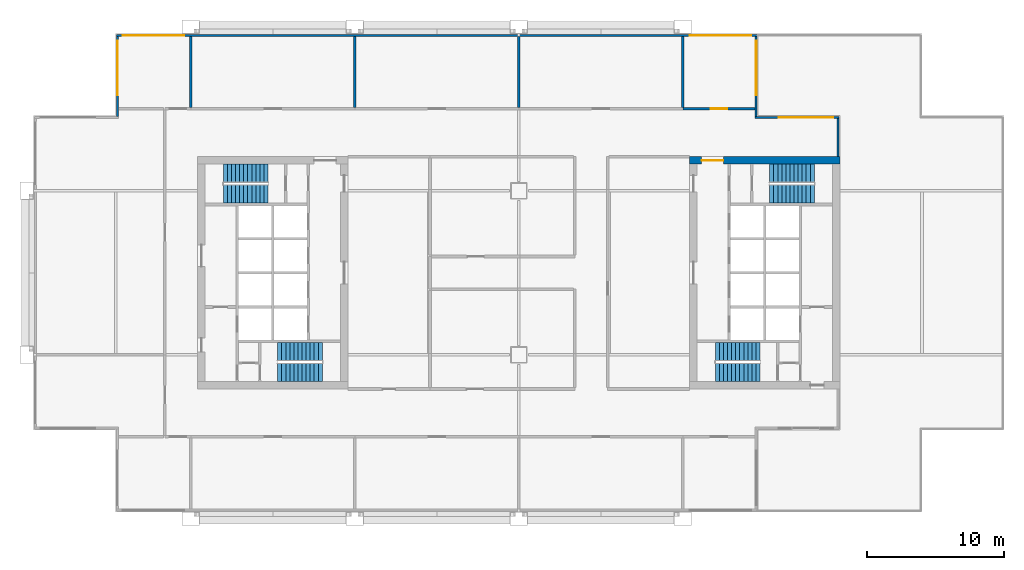
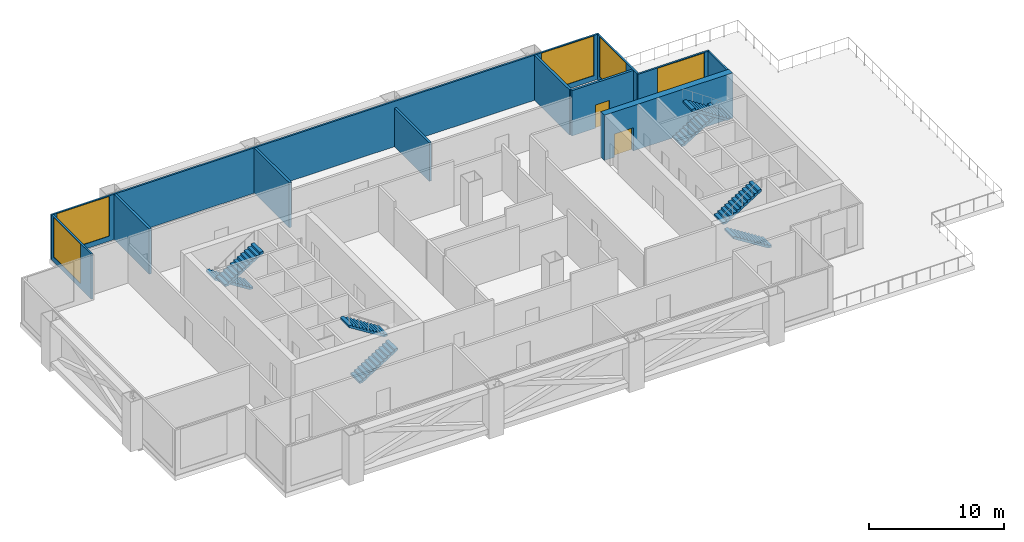
# One storey, part 5 of 6: 11 walls, 8 stair flights, 5 windows, 2 doors, 7 openings, 4 elements without a shape of their own.
"""IFC4 building model written with IfcOpenShell, lengths in metres."""

from ifc_helpers import new_model, si_unit, direction, frame, frame_2d, origin, place, context, subcontext, project, spatial, polyline, rectangle, outline, extrude, material, layer, layer_set, type_object, element, fill, aggregate, save


model = new_model("IFC4")

# Units and contexts
model_context = context("Model", 3, precision=1e-05, world=origin(), true_north=direction((0.0, 1.0)))
body_context = subcontext(model_context, "Body", "Model", "MODEL_VIEW")
ifc_project = project(units=[si_unit("LENGTHUNIT", "METRE"), si_unit("AREAUNIT", "SQUARE_METRE"), si_unit("VOLUMEUNIT", "CUBIC_METRE"), si_unit("PLANEANGLEUNIT", "RADIAN"), si_unit("MASSUNIT", "GRAM", prefix="KILO")], contexts=[model_context])

# Site, building, storey
site_placement = place(None, origin())
site = spatial("IfcSite", under=ifc_project, at=site_placement, CompositionType="ELEMENT")
building_placement = place(site_placement, origin())
building = spatial("IfcBuilding", under=site, at=building_placement, Name="Kitamizu Gate Tower and Museum", CompositionType="ELEMENT")
storey_placement = place(building_placement, frame((0.0, 0.0, 153.75)))
storey = spatial("IfcBuildingStorey", under=building, at=storey_placement, Name="L40", CompositionType="ELEMENT", Elevation=153.75)

# Wall, opening, door
ifc_material_1 = material(Name="Concrete Fc42", Category="concrete")
ifc_layer_1 = layer(ifc_material_1, 0.550048828125)
ifc_layer_set_1 = layer_set([ifc_layer_1], Name="Concrete Fc42")
wall_type_1 = type_object("IfcWallType", Name="Core wall 550", PredefinedType="SHEAR", material=ifc_layer_set_1)
wall_1_placement = place(storey_placement, frame((59.5, 38.22509765625, 0.0), z_axis=(0.0, 0.0, 1.0), x_axis=(-1.0, 0.0, 0.0)))
wall_1 = element("IfcWall", 1, at=wall_1_placement, inside=storey, type_object=wall_type_1, Name="Core wall EN", PredefinedType="SHEAR", context=body_context, shape_type="SweptSolid", body=[
    extrude(rectangle(XDim=11.0, YDim=0.550048828125, at=frame_2d((5.5, 0.0))), origin(), (0.0, 0.0, 1.0), 4.10009765625),
])
opening_1_placement = place(wall_1_placement, frame((8.52490234375, 0.0, 0.0)))
opening_1 = element("IfcOpeningElement", 2, at=opening_1_placement, cuts=wall_1, Name="Opening L40-035", PredefinedType="OPENING", context=body_context, shape_type="SweptSolid", body=[
    extrude(rectangle(XDim=1.60009765625, YDim=2.10009765625, at=frame_2d((0.800048828125, 1.050048828125))), frame((0.0, 0.28515625, 0.0), z_axis=(0.0, -1.0, 0.0), x_axis=(1.0, 0.0, 0.0)), (0.0, 0.0, 1.0), 0.570068359375),
])
ifc_material_2 = material(Name="Timber door set", Category="wood")
door_type_1 = type_object("IfcDoorType", Name="Entrance door 1600", OperationType="DOUBLE_DOOR_SINGLE_SWING", PredefinedType="DOOR", material=ifc_material_2)
door_1_placement = place(opening_1_placement, origin())
door_1 = element("IfcDoor", 3, at=door_1_placement, inside=storey, type_object=door_type_1, Name="Lobby door L40-035", OperationType="DOUBLE_DOOR_SINGLE_SWING", OverallHeight=2.10009765625, OverallWidth=1.60009765625, PredefinedType="DOOR", context=body_context, shape_type="SweptSolid", body=[
    extrude(rectangle(XDim=1.60009765625, YDim=2.10009765625, at=frame_2d((0.800048828125, 1.050048828125))), frame((0.0, 0.02490234375, 0.0), z_axis=(0.0, -1.0, 0.0), x_axis=(1.0, 0.0, 0.0)), (0.0, 0.0, 1.0), 0.050048828125),
])
fill(opening_1, door_1)

ifc_material_3 = material(Name="Gypsum board on galvanised stud")
ifc_layer_2 = layer(ifc_material_3, 0.199951171875)
ifc_layer_set_2 = layer_set([ifc_layer_2], Name="Gypsum board on galvanised stud")
wall_type_2 = type_object("IfcWallType", Name="Partition 200", PredefinedType="PARTITIONING", material=ifc_layer_set_2)
wall_2_placement = place(storey_placement, frame((53.280029296875, 42.0, 0.0), z_axis=(0.0, 0.0, 1.0), x_axis=(-1.0, 0.0, 0.0)))
wall_2 = element("IfcWall", 4, at=wall_2_placement, inside=storey, type_object=wall_type_2, Name="Partition L40-017", PredefinedType="PARTITIONING", context=body_context, shape_type="SweptSolid", body=[
    extrude(rectangle(XDim=5.280029296875, YDim=0.199951171875, at=frame_2d((2.64013671875, 0.0))), origin(), (0.0, 0.0, 1.0), 4.10009765625),
])
opening_2_placement = place(wall_2_placement, frame((2.0400390625, 0.0, 0.0)))
opening_2 = element("IfcOpeningElement", 5, at=opening_2_placement, cuts=wall_2, Name="Opening L40-012", PredefinedType="OPENING", context=body_context, shape_type="SweptSolid", body=[
    extrude(rectangle(XDim=1.199951171875, YDim=2.10009765625, at=frame_2d((0.60009765625, 1.050048828125))), frame((0.0, 0.10986328125, 0.0), z_axis=(0.0, -1.0, 0.0), x_axis=(1.0, 0.0, 0.0)), (0.0, 0.0, 1.0), 0.219970703125),
])
ifc_material_4 = material(Name="Timber door set", Category="wood")
door_type_2 = type_object("IfcDoorType", Name="Plant room door 1200", OperationType="DOUBLE_DOOR_SINGLE_SWING", PredefinedType="DOOR", material=ifc_material_4)
door_2_placement = place(opening_2_placement, origin())
door_2 = element("IfcDoor", 6, at=door_2_placement, inside=storey, type_object=door_type_2, Name="Plant room door L40-012", OperationType="DOUBLE_DOOR_SINGLE_SWING", OverallHeight=2.10009765625, OverallWidth=1.199951171875, PredefinedType="DOOR", context=body_context, shape_type="SweptSolid", body=[
    extrude(rectangle(XDim=1.199951171875, YDim=2.10009765625, at=frame_2d((0.60009765625, 1.050048828125))), frame((0.0, 0.02490234375, 0.0), z_axis=(0.0, -1.0, 0.0), x_axis=(1.0, 0.0, 0.0)), (0.0, 0.0, 1.0), 0.050048828125),
])
fill(opening_2, door_2)

# Walls
for number, where, z_axis, x_axis, name in (
    (7, (12.0, 42.10009765625, 0.0), (0.0, 0.0, 1.0), (0.0, 1.0, 0.0), "Partition L40-041"),
    (8, (24.0, 42.10009765625, 0.0), (0.0, 0.0, 1.0), (0.0, 1.0, 0.0), "Partition L40-043"),
):
    element("IfcWall", number, at=place(storey_placement, frame(where, z_axis=z_axis, x_axis=x_axis)), inside=storey, type_object=wall_type_2, Name=name, PredefinedType="PARTITIONING", context=body_context, shape_type="SweptSolid", body=[
        extrude(rectangle(XDim=5.179931640625, YDim=0.199951171875, at=frame_2d((2.58984375, 0.0))), origin(), (0.0, 0.0, 1.0), 4.10009765625),
    ])
wall_3_placement = place(storey_placement, frame((36.0, 42.10009765625, 0.0), z_axis=(0.0, 0.0, 1.0), x_axis=(0.0, 1.0, 0.0)))
element("IfcWall", 9, at=wall_3_placement, inside=storey, type_object=wall_type_2, Name="Partition L40-044", PredefinedType="PARTITIONING", context=body_context, shape_type="SweptSolid", body=[
    extrude(rectangle(XDim=5.179931640625, YDim=0.199951171875, at=frame_2d((2.58984375, 0.0))), origin(), (0.0, 0.0, 1.0), 3.5),
])
wall_4_placement = place(storey_placement, frame((48.0, 42.10009765625, 0.0), z_axis=(0.0, 0.0, 1.0), x_axis=(0.0, 1.0, 0.0)))
element("IfcWall", 10, at=wall_4_placement, inside=storey, type_object=wall_type_2, Name="Partition L40-045", PredefinedType="PARTITIONING", context=body_context, shape_type="SweptSolid", body=[
    extrude(rectangle(XDim=5.179931640625, YDim=0.199951171875, at=frame_2d((2.58984375, 0.0))), origin(), (0.0, 0.0, 1.0), 4.10009765625),
])
ifc_material_5 = material(Name="Bronze anodised aluminium frame with insulated spandrel and tinted glass", Category="aluminium")
ifc_layer_3 = layer(ifc_material_5, 0.14990234375)
ifc_layer_set_3 = layer_set([ifc_layer_3], Name="Bronze anodised aluminium frame with insulated spandrel and tinted glass")
wall_type_3 = type_object("IfcWallType", Name="WINDOW WALL 150 BRONZE FRAME EI 60", PredefinedType="ELEMENTEDWALL", material=ifc_layer_set_3)
wall_5_placement = place(storey_placement, frame((59.364990234375, 38.5, 0.0), z_axis=(0.0, 0.0, 1.0), x_axis=(0.0, 1.0, 0.0)))
element("IfcWall", 11, at=wall_5_placement, inside=storey, type_object=wall_type_3, Name="Window wall east L40", PredefinedType="ELEMENTEDWALL", context=body_context, shape_type="SweptSolid", body=[
    extrude(rectangle(XDim=2.7900390625, YDim=0.14990234375, at=frame_2d((1.39501953125, 0.0))), origin(), (0.0, 0.0, 1.0), 4.10009765625),
])

# Wall, opening, window
wall_6_placement = place(storey_placement, frame((53.2900390625, 41.364990234375, 0.0), z_axis=(0.0, 0.0, 1.0), x_axis=(1.0, 0.0, 0.0)))
wall_6 = element("IfcWall", 12, at=wall_6_placement, inside=storey, type_object=wall_type_3, Name="Window wall north L40", PredefinedType="ELEMENTEDWALL", context=body_context, shape_type="SweptSolid", body=[
    extrude(rectangle(XDim=6.14990234375, YDim=0.14990234375, at=frame_2d((3.074951171875, 0.0))), origin(), (0.0, 0.0, 1.0), 4.10009765625),
])
opening_3_placement = place(wall_6_placement, frame((1.7099609375, 0.0, 0.449951171875)))
opening_3 = element("IfcOpeningElement", 13, at=opening_3_placement, cuts=wall_6, Name="Opening W18", PredefinedType="OPENING", context=body_context, shape_type="SweptSolid", body=[
    extrude(rectangle(XDim=4.0, YDim=3.60009765625, at=frame_2d((2.0, 1.800048828125))), frame((0.0, 0.0849609375, 0.0), z_axis=(0.0, -1.0, 0.0), x_axis=(1.0, 0.0, 0.0)), (0.0, 0.0, 1.0), 0.169921875),
])
ifc_material_6 = material(Name="Bronze anodised aluminium frame, tinted triple glazing", Category="aluminium")
window_type_1 = type_object("IfcWindowType", Name="WINDOW 4000 x 3600 SILL 450", PartitioningType="SINGLE_PANEL", PredefinedType="WINDOW", material=ifc_material_6)
window_1_placement = place(opening_3_placement, origin())
window_1 = element("IfcWindow", 14, at=window_1_placement, inside=storey, type_object=window_type_1, Name="Window W18 L40", OverallHeight=3.60009765625, OverallWidth=4.0, PartitioningType="SINGLE_PANEL", PredefinedType="WINDOW", context=body_context, shape_type="SweptSolid", body=[
    extrude(rectangle(XDim=4.0, YDim=3.60009765625, at=frame_2d((2.0, 1.800048828125))), frame((0.0, 0.030029296875, 0.0), z_axis=(0.0, -1.0, 0.0), x_axis=(1.0, 0.0, 0.0)), (0.0, 0.0, 1.0), 0.06005859375),
])
fill(opening_3, window_1)

wall_7_placement = place(storey_placement, frame((53.364990234375, 41.43994140625, 0.0), z_axis=(0.0, 0.0, 1.0), x_axis=(0.0, 1.0, 0.0)))
wall_7 = element("IfcWall", 15, at=wall_7_placement, inside=storey, type_object=wall_type_3, Name="Window wall east L40", PredefinedType="ELEMENTEDWALL", context=body_context, shape_type="SweptSolid", body=[
    extrude(rectangle(XDim=5.85009765625, YDim=0.14990234375, at=frame_2d((2.925048828125, 0.0))), origin(), (0.0, 0.0, 1.0), 4.10009765625),
])
opening_4_placement = place(wall_7_placement, frame((1.56005859375, 0.0, 0.449951171875)))
opening_4 = element("IfcOpeningElement", 16, at=opening_4_placement, cuts=wall_7, Name="Opening W18", PredefinedType="OPENING", context=body_context, shape_type="SweptSolid", body=[
    extrude(rectangle(XDim=4.0, YDim=3.60009765625, at=frame_2d((2.0, 1.800048828125))), frame((0.0, 0.0849609375, 0.0), z_axis=(0.0, -1.0, 0.0), x_axis=(1.0, 0.0, 0.0)), (0.0, 0.0, 1.0), 0.169921875),
])
window_2_placement = place(opening_4_placement, origin())
window_2 = element("IfcWindow", 17, at=window_2_placement, inside=storey, type_object=window_type_1, Name="Window W18 L40", OverallHeight=3.60009765625, OverallWidth=4.0, PartitioningType="SINGLE_PANEL", PredefinedType="WINDOW", context=body_context, shape_type="SweptSolid", body=[
    extrude(rectangle(XDim=4.0, YDim=3.60009765625, at=frame_2d((2.0, 1.800048828125))), frame((0.0, 0.030029296875, 0.0), z_axis=(0.0, -1.0, 0.0), x_axis=(1.0, 0.0, 0.0)), (0.0, 0.0, 1.0), 0.06005859375),
])
fill(opening_4, window_2)

# Wall, openings, windows
wall_8_placement = place(storey_placement, frame((6.56005859375, 47.364990234375, 0.0), z_axis=(0.0, 0.0, 1.0), x_axis=(1.0, 0.0, 0.0)))
wall_8 = element("IfcWall", 18, at=wall_8_placement, inside=storey, type_object=wall_type_3, Name="Window wall north L40", PredefinedType="ELEMENTEDWALL", context=body_context, shape_type="SweptSolid", body=[
    extrude(rectangle(XDim=46.8798828125, YDim=0.14990234375, at=frame_2d((23.43994140625, 0.0))), origin(), (0.0, 0.0, 1.0), 4.10009765625),
])
opening_5_placement = place(wall_8_placement, frame((0.43994140625, 0.0, 0.449951171875)))
opening_5 = element("IfcOpeningElement", 19, at=opening_5_placement, cuts=wall_8, Name="Opening W17", PredefinedType="OPENING", context=body_context, shape_type="SweptSolid", body=[
    extrude(rectangle(XDim=4.5, YDim=3.60009765625, at=frame_2d((2.25, 1.800048828125))), frame((0.0, 0.0849609375, 0.0), z_axis=(0.0, -1.0, 0.0), x_axis=(1.0, 0.0, 0.0)), (0.0, 0.0, 1.0), 0.169921875),
])
opening_6_placement = place(wall_8_placement, frame((41.93994140625, 0.0, 0.449951171875)))
opening_6 = element("IfcOpeningElement", 20, at=opening_6_placement, cuts=wall_8, Name="Opening W17", PredefinedType="OPENING", context=body_context, shape_type="SweptSolid", body=[
    extrude(rectangle(XDim=4.5, YDim=3.60009765625, at=frame_2d((2.25, 1.800048828125))), frame((0.0, 0.0849609375, 0.0), z_axis=(0.0, -1.0, 0.0), x_axis=(1.0, 0.0, 0.0)), (0.0, 0.0, 1.0), 0.169921875),
])
ifc_material_7 = material(Name="Bronze anodised aluminium frame, tinted triple glazing", Category="aluminium")
window_type_2 = type_object("IfcWindowType", Name="WINDOW 4500 x 3600 SILL 450", PartitioningType="SINGLE_PANEL", PredefinedType="WINDOW", material=ifc_material_7)
window_3_placement = place(opening_5_placement, origin())
window_3 = element("IfcWindow", 21, at=window_3_placement, inside=storey, type_object=window_type_2, Name="Window W17 L40", OverallHeight=3.60009765625, OverallWidth=4.5, PartitioningType="SINGLE_PANEL", PredefinedType="WINDOW", context=body_context, shape_type="SweptSolid", body=[
    extrude(rectangle(XDim=4.5, YDim=3.60009765625, at=frame_2d((2.25, 1.800048828125))), frame((0.0, 0.030029296875, 0.0), z_axis=(0.0, -1.0, 0.0), x_axis=(1.0, 0.0, 0.0)), (0.0, 0.0, 1.0), 0.06005859375),
])
fill(opening_5, window_3)
window_4_placement = place(opening_6_placement, origin())
window_4 = element("IfcWindow", 22, at=window_4_placement, inside=storey, type_object=window_type_2, Name="Window W17 L40", OverallHeight=3.60009765625, OverallWidth=4.5, PartitioningType="SINGLE_PANEL", PredefinedType="WINDOW", context=body_context, shape_type="SweptSolid", body=[
    extrude(rectangle(XDim=4.5, YDim=3.60009765625, at=frame_2d((2.25, 1.800048828125))), frame((0.0, 0.030029296875, 0.0), z_axis=(0.0, -1.0, 0.0), x_axis=(1.0, 0.0, 0.0)), (0.0, 0.0, 1.0), 0.06005859375),
])
fill(opening_6, window_4)

# Wall, opening, window
wall_9_placement = place(storey_placement, frame((6.635009765625, 41.43994140625, 0.0), z_axis=(0.0, 0.0, 1.0), x_axis=(0.0, 1.0, 0.0)))
wall_9 = element("IfcWall", 23, at=wall_9_placement, inside=storey, type_object=wall_type_3, Name="Window wall west L40", PredefinedType="ELEMENTEDWALL", context=body_context, shape_type="SweptSolid", body=[
    extrude(rectangle(XDim=5.85009765625, YDim=0.14990234375, at=frame_2d((2.925048828125, 0.0))), origin(), (0.0, 0.0, 1.0), 4.10009765625),
])
opening_7_placement = place(wall_9_placement, frame((1.56005859375, 0.0, 0.449951171875)))
opening_7 = element("IfcOpeningElement", 24, at=opening_7_placement, cuts=wall_9, Name="Opening W18", PredefinedType="OPENING", context=body_context, shape_type="SweptSolid", body=[
    extrude(rectangle(XDim=4.0, YDim=3.60009765625, at=frame_2d((2.0, 1.800048828125))), frame((0.0, 0.0849609375, 0.0), z_axis=(0.0, -1.0, 0.0), x_axis=(1.0, 0.0, 0.0)), (0.0, 0.0, 1.0), 0.169921875),
])
window_5_placement = place(opening_7_placement, origin())
window_5 = element("IfcWindow", 25, at=window_5_placement, inside=storey, type_object=window_type_1, Name="Window W18 L40", OverallHeight=3.60009765625, OverallWidth=4.0, PartitioningType="SINGLE_PANEL", PredefinedType="WINDOW", context=body_context, shape_type="SweptSolid", body=[
    extrude(rectangle(XDim=4.0, YDim=3.60009765625, at=frame_2d((2.0, 1.800048828125))), frame((0.0, 0.030029296875, 0.0), z_axis=(0.0, -1.0, 0.0), x_axis=(1.0, 0.0, 0.0)), (0.0, 0.0, 1.0), 0.06005859375),
])
fill(opening_7, window_5)

# Stair, stair flights
ifc_material_8 = material(Name="Concrete Fc42", Category="concrete")
stair_type = type_object("IfcStairType", Name="Exit stair 1325 wide 188 rise 298 going", PredefinedType="HALF_TURN_STAIR", material=ifc_material_8)
stair_1_placement = place(storey_placement, origin())
stair_1 = element("IfcStair", 26, at=stair_1_placement, inside=storey, type_object=stair_type, Name="Exit stair ST1", PredefinedType="HALF_TURN_STAIR")
ifc_material_9 = material(Name="Concrete Fc42", Category="concrete")
stair_flight_type = type_object("IfcStairFlightType", Name="Stair flight 1325 wide 188 rise 298 going", PredefinedType="STRAIGHT", material=ifc_material_9)
stair_flight_1_placement = place(storey_placement, frame((18.35009765625, 22.71240234375, 0.0), z_axis=(0.0, 0.0, 1.0), x_axis=(1.0, 0.0, 0.0)))
stair_flight_1 = element("IfcStairFlight", 27, at=stair_flight_1_placement, type_object=stair_flight_type, Name="ST1 flight 1", NumberOfRisers=12, NumberOfTreads=11, PredefinedType="STRAIGHT", RiserHeight=0.1875, TreadLength=0.297727273, context=body_context, shape_type="SweptSolid", body=[
    extrude(outline(polyline([(0.0, 0.0), (0.0, 0.1875), (0.297607421875, 0.1875), (0.297607421875, 0.375), (0.595458984375, 0.375), (0.595458984375, 0.5625), (0.89306640625, 0.5625), (0.89306640625, 0.75), (1.19091796875, 0.75), (1.19091796875, 0.9375), (1.488525390625, 0.9375), (1.488525390625, 1.125), (1.786376953125, 1.125), (1.786376953125, 1.3125), (2.083984375, 1.3125), (2.083984375, 1.5), (2.3818359375, 1.5), (2.3818359375, 1.6875), (2.679443359375, 1.6875), (2.679443359375, 1.875), (2.977294921875, 1.875), (2.977294921875, 2.0625), (3.27490234375, 2.0625), (3.27490234375, 2.25), (3.27490234375, 1.88525390625), (0.28125, 0.0), (0.0, 0.0)])), frame((0.0, 0.66259765625, 0.0), z_axis=(0.0, -1.0, 0.0), x_axis=(1.0, 0.0, 0.0)), (0.0, 0.0, 1.0), 1.324951171875),
])
stair_flight_2_placement = place(storey_placement, frame((21.625, 24.237548828125, 2.25), z_axis=(0.0, 0.0, 1.0), x_axis=(-1.0, 0.0, 0.0)))
stair_flight_2 = element("IfcStairFlight", 28, at=stair_flight_2_placement, type_object=stair_flight_type, Name="ST1 flight 2", NumberOfRisers=12, NumberOfTreads=11, PredefinedType="STRAIGHT", RiserHeight=0.1875, TreadLength=0.297727273, context=body_context, shape_type="SweptSolid", body=[
    extrude(outline(polyline([(0.0, 0.0), (0.0, 0.1875), (0.297607421875, 0.1875), (0.297607421875, 0.375), (0.595458984375, 0.375), (0.595458984375, 0.5625), (0.89306640625, 0.5625), (0.89306640625, 0.75), (1.19091796875, 0.75), (1.19091796875, 0.9375), (1.488525390625, 0.9375), (1.488525390625, 1.125), (1.786376953125, 1.125), (1.786376953125, 1.3125), (2.083984375, 1.3125), (2.083984375, 1.5), (2.3818359375, 1.5), (2.3818359375, 1.6875), (2.679443359375, 1.6875), (2.679443359375, 1.875), (2.977294921875, 1.875), (2.977294921875, 2.0625), (3.27490234375, 2.0625), (3.27490234375, 2.25), (3.27490234375, 1.88525390625), (0.28125, 0.0), (0.0, 0.0)])), frame((0.0, 0.66259765625, 0.0), z_axis=(0.0, -1.0, 0.0), x_axis=(1.0, 0.0, 0.0)), (0.0, 0.0, 1.0), 1.324951171875),
])
aggregate(stair_1, [stair_flight_1, stair_flight_2])

stair_2_placement = place(storey_placement, origin())
stair_2 = element("IfcStair", 29, at=stair_2_placement, inside=storey, type_object=stair_type, Name="Exit stair ST2", PredefinedType="HALF_TURN_STAIR")
stair_flight_3_placement = place(storey_placement, frame((17.64990234375, 37.28759765625, 0.0), z_axis=(0.0, 0.0, 1.0), x_axis=(-1.0, 0.0, 0.0)))
stair_flight_3 = element("IfcStairFlight", 30, at=stair_flight_3_placement, type_object=stair_flight_type, Name="ST2 flight 1", NumberOfRisers=12, NumberOfTreads=11, PredefinedType="STRAIGHT", RiserHeight=0.1875, TreadLength=0.297727273, context=body_context, shape_type="SweptSolid", body=[
    extrude(outline(polyline([(0.0, 0.0), (0.0, 0.1875), (0.297607421875, 0.1875), (0.297607421875, 0.375), (0.595458984375, 0.375), (0.595458984375, 0.5625), (0.89306640625, 0.5625), (0.89306640625, 0.75), (1.19091796875, 0.75), (1.19091796875, 0.9375), (1.488525390625, 0.9375), (1.488525390625, 1.125), (1.786376953125, 1.125), (1.786376953125, 1.3125), (2.083984375, 1.3125), (2.083984375, 1.5), (2.3818359375, 1.5), (2.3818359375, 1.6875), (2.679443359375, 1.6875), (2.679443359375, 1.875), (2.977294921875, 1.875), (2.977294921875, 2.0625), (3.27490234375, 2.0625), (3.27490234375, 2.25), (3.27490234375, 1.88525390625), (0.28125, 0.0), (0.0, 0.0)])), frame((0.0, 0.66259765625, 0.0), z_axis=(0.0, -1.0, 0.0), x_axis=(1.0, 0.0, 0.0)), (0.0, 0.0, 1.0), 1.324951171875),
])
stair_flight_4_placement = place(storey_placement, frame((14.375, 35.762451171875, 2.25), z_axis=(0.0, 0.0, 1.0), x_axis=(1.0, 0.0, 0.0)))
stair_flight_4 = element("IfcStairFlight", 31, at=stair_flight_4_placement, type_object=stair_flight_type, Name="ST2 flight 2", NumberOfRisers=12, NumberOfTreads=11, PredefinedType="STRAIGHT", RiserHeight=0.1875, TreadLength=0.297727273, context=body_context, shape_type="SweptSolid", body=[
    extrude(outline(polyline([(0.0, 0.0), (0.0, 0.1875), (0.297607421875, 0.1875), (0.297607421875, 0.375), (0.595458984375, 0.375), (0.595458984375, 0.5625), (0.89306640625, 0.5625), (0.89306640625, 0.75), (1.19091796875, 0.75), (1.19091796875, 0.9375), (1.488525390625, 0.9375), (1.488525390625, 1.125), (1.786376953125, 1.125), (1.786376953125, 1.3125), (2.083984375, 1.3125), (2.083984375, 1.5), (2.3818359375, 1.5), (2.3818359375, 1.6875), (2.679443359375, 1.6875), (2.679443359375, 1.875), (2.977294921875, 1.875), (2.977294921875, 2.0625), (3.27490234375, 2.0625), (3.27490234375, 2.25), (3.27490234375, 1.88525390625), (0.28125, 0.0), (0.0, 0.0)])), frame((0.0, 0.66259765625, 0.0), z_axis=(0.0, -1.0, 0.0), x_axis=(1.0, 0.0, 0.0)), (0.0, 0.0, 1.0), 1.324951171875),
])
aggregate(stair_2, [stair_flight_3, stair_flight_4])

stair_3_placement = place(storey_placement, origin())
stair_3 = element("IfcStair", 32, at=stair_3_placement, inside=storey, type_object=stair_type, Name="Exit stair ST3", PredefinedType="HALF_TURN_STAIR")
stair_flight_5_placement = place(storey_placement, frame((53.64990234375, 22.71240234375, 0.0), z_axis=(0.0, 0.0, 1.0), x_axis=(-1.0, 0.0, 0.0)))
stair_flight_5 = element("IfcStairFlight", 33, at=stair_flight_5_placement, type_object=stair_flight_type, Name="ST3 flight 1", NumberOfRisers=12, NumberOfTreads=11, PredefinedType="STRAIGHT", RiserHeight=0.1875, TreadLength=0.297727273, context=body_context, shape_type="SweptSolid", body=[
    extrude(outline(polyline([(0.0, 0.0), (0.0, 0.1875), (0.297607421875, 0.1875), (0.297607421875, 0.375), (0.595458984375, 0.375), (0.595458984375, 0.5625), (0.89306640625, 0.5625), (0.89306640625, 0.75), (1.19091796875, 0.75), (1.19091796875, 0.9375), (1.488525390625, 0.9375), (1.488525390625, 1.125), (1.786376953125, 1.125), (1.786376953125, 1.3125), (2.083984375, 1.3125), (2.083984375, 1.5), (2.3818359375, 1.5), (2.3818359375, 1.6875), (2.679443359375, 1.6875), (2.679443359375, 1.875), (2.977294921875, 1.875), (2.977294921875, 2.0625), (3.27490234375, 2.0625), (3.27490234375, 2.25), (3.27490234375, 1.88525390625), (0.28125, 0.0), (0.0, 0.0)])), frame((0.0, 0.66259765625, 0.0), z_axis=(0.0, -1.0, 0.0), x_axis=(1.0, 0.0, 0.0)), (0.0, 0.0, 1.0), 1.324951171875),
])
stair_flight_6_placement = place(storey_placement, frame((50.375, 24.237548828125, 2.25), z_axis=(0.0, 0.0, 1.0), x_axis=(1.0, 0.0, 0.0)))
stair_flight_6 = element("IfcStairFlight", 34, at=stair_flight_6_placement, type_object=stair_flight_type, Name="ST3 flight 2", NumberOfRisers=12, NumberOfTreads=11, PredefinedType="STRAIGHT", RiserHeight=0.1875, TreadLength=0.297727273, context=body_context, shape_type="SweptSolid", body=[
    extrude(outline(polyline([(0.0, 0.0), (0.0, 0.1875), (0.297607421875, 0.1875), (0.297607421875, 0.375), (0.595458984375, 0.375), (0.595458984375, 0.5625), (0.89306640625, 0.5625), (0.89306640625, 0.75), (1.19091796875, 0.75), (1.19091796875, 0.9375), (1.488525390625, 0.9375), (1.488525390625, 1.125), (1.786376953125, 1.125), (1.786376953125, 1.3125), (2.083984375, 1.3125), (2.083984375, 1.5), (2.3818359375, 1.5), (2.3818359375, 1.6875), (2.679443359375, 1.6875), (2.679443359375, 1.875), (2.977294921875, 1.875), (2.977294921875, 2.0625), (3.27490234375, 2.0625), (3.27490234375, 2.25), (3.27490234375, 1.88525390625), (0.28125, 0.0), (0.0, 0.0)])), frame((0.0, 0.66259765625, 0.0), z_axis=(0.0, -1.0, 0.0), x_axis=(1.0, 0.0, 0.0)), (0.0, 0.0, 1.0), 1.324951171875),
])
aggregate(stair_3, [stair_flight_5, stair_flight_6])

stair_4_placement = place(storey_placement, origin())
stair_4 = element("IfcStair", 35, at=stair_4_placement, inside=storey, type_object=stair_type, Name="Exit stair ST4", PredefinedType="HALF_TURN_STAIR")
stair_flight_7_placement = place(storey_placement, frame((54.35009765625, 37.28759765625, 0.0), z_axis=(0.0, 0.0, 1.0), x_axis=(1.0, 0.0, 0.0)))
stair_flight_7 = element("IfcStairFlight", 36, at=stair_flight_7_placement, type_object=stair_flight_type, Name="ST4 flight 1", NumberOfRisers=12, NumberOfTreads=11, PredefinedType="STRAIGHT", RiserHeight=0.1875, TreadLength=0.297727273, context=body_context, shape_type="SweptSolid", body=[
    extrude(outline(polyline([(0.0, 0.0), (0.0, 0.1875), (0.297607421875, 0.1875), (0.297607421875, 0.375), (0.595458984375, 0.375), (0.595458984375, 0.5625), (0.89306640625, 0.5625), (0.89306640625, 0.75), (1.19091796875, 0.75), (1.19091796875, 0.9375), (1.488525390625, 0.9375), (1.488525390625, 1.125), (1.786376953125, 1.125), (1.786376953125, 1.3125), (2.083984375, 1.3125), (2.083984375, 1.5), (2.3818359375, 1.5), (2.3818359375, 1.6875), (2.679443359375, 1.6875), (2.679443359375, 1.875), (2.977294921875, 1.875), (2.977294921875, 2.0625), (3.27490234375, 2.0625), (3.27490234375, 2.25), (3.27490234375, 1.88525390625), (0.28125, 0.0), (0.0, 0.0)])), frame((0.0, 0.66259765625, 0.0), z_axis=(0.0, -1.0, 0.0), x_axis=(1.0, 0.0, 0.0)), (0.0, 0.0, 1.0), 1.324951171875),
])
stair_flight_8_placement = place(storey_placement, frame((57.625, 35.762451171875, 2.25), z_axis=(0.0, 0.0, 1.0), x_axis=(-1.0, 0.0, 0.0)))
stair_flight_8 = element("IfcStairFlight", 37, at=stair_flight_8_placement, type_object=stair_flight_type, Name="ST4 flight 2", NumberOfRisers=12, NumberOfTreads=11, PredefinedType="STRAIGHT", RiserHeight=0.1875, TreadLength=0.297727273, context=body_context, shape_type="SweptSolid", body=[
    extrude(outline(polyline([(0.0, 0.0), (0.0, 0.1875), (0.297607421875, 0.1875), (0.297607421875, 0.375), (0.595458984375, 0.375), (0.595458984375, 0.5625), (0.89306640625, 0.5625), (0.89306640625, 0.75), (1.19091796875, 0.75), (1.19091796875, 0.9375), (1.488525390625, 0.9375), (1.488525390625, 1.125), (1.786376953125, 1.125), (1.786376953125, 1.3125), (2.083984375, 1.3125), (2.083984375, 1.5), (2.3818359375, 1.5), (2.3818359375, 1.6875), (2.679443359375, 1.6875), (2.679443359375, 1.875), (2.977294921875, 1.875), (2.977294921875, 2.0625), (3.27490234375, 2.0625), (3.27490234375, 2.25), (3.27490234375, 1.88525390625), (0.28125, 0.0), (0.0, 0.0)])), frame((0.0, 0.66259765625, 0.0), z_axis=(0.0, -1.0, 0.0), x_axis=(1.0, 0.0, 0.0)), (0.0, 0.0, 1.0), 1.324951171875),
])
aggregate(stair_4, [stair_flight_7, stair_flight_8])

save(model, "model.ifc")
